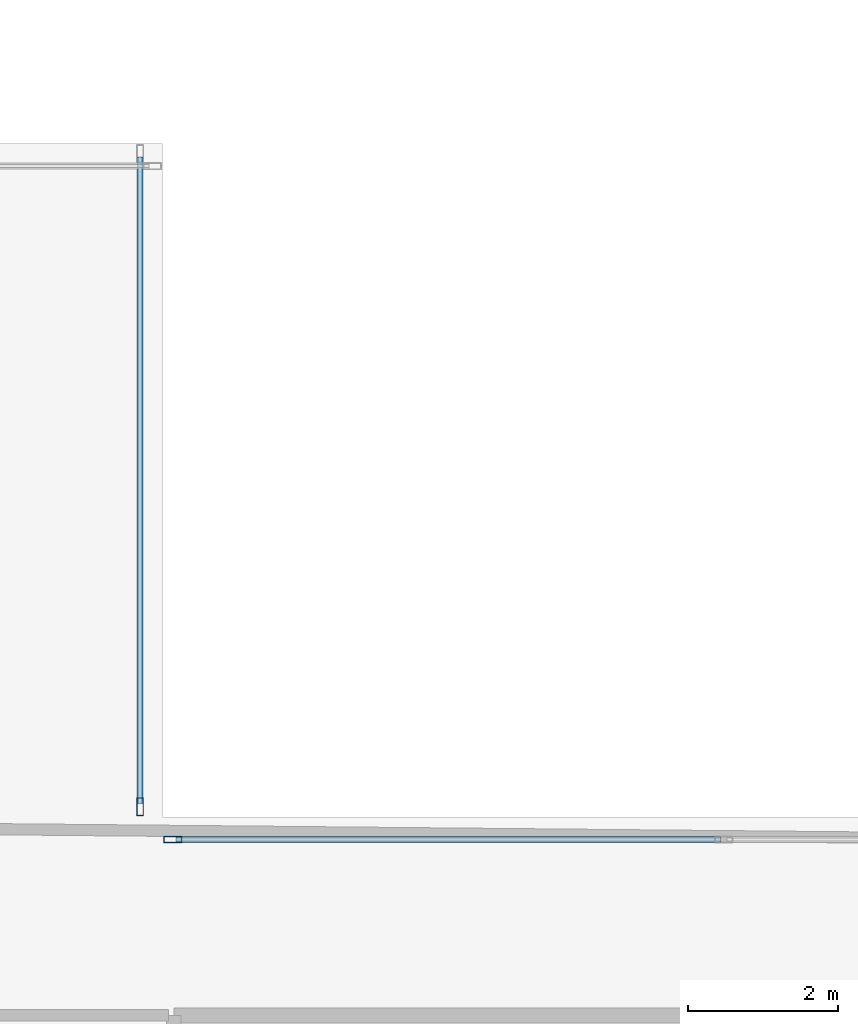
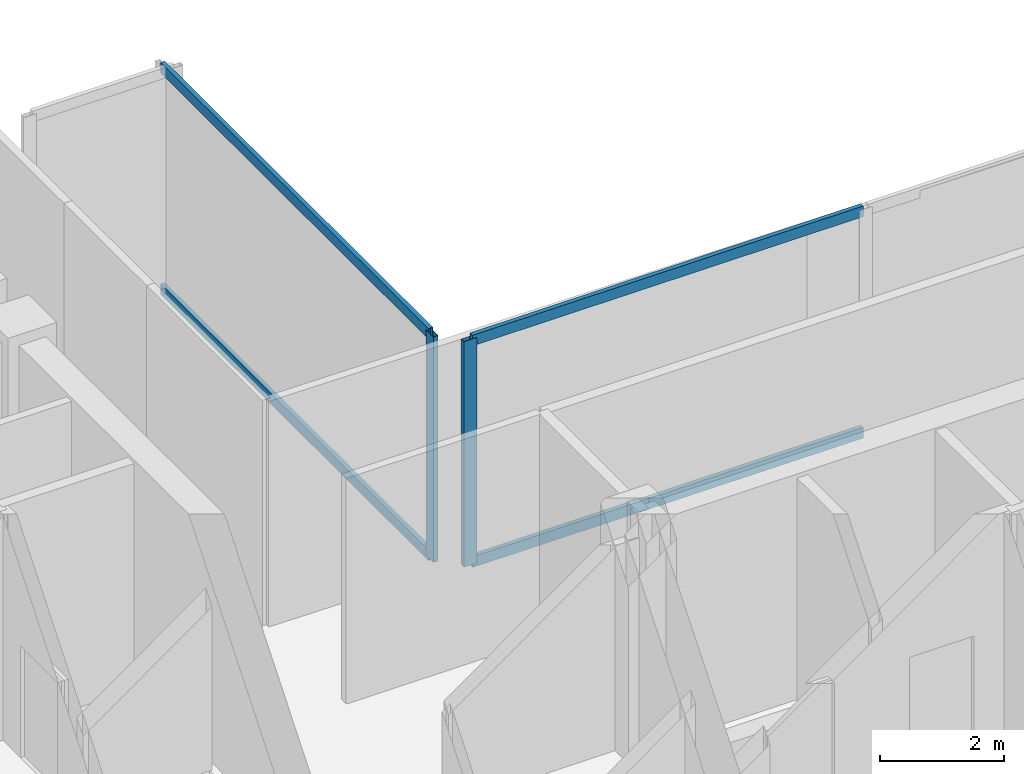
# One storey, part 7 of 19: 6 members, 2 elements without a shape of their own.
"""IFC4 building model written with IfcOpenShell, lengths in metres."""

from ifc_helpers import new_model, si_unit, direction, frame, origin, origin_2d, place, context, subcontext, project, spatial, hollow_rectangle, extrude, material, layer, layer_set, material_profile, profile_set, type_object, element, aggregate, save


model = new_model("IFC4")

# Units and contexts
model_context = context("Model", 3, precision=1e-05, world=origin(), true_north=direction((0.0, 1.0)))
body_context = subcontext(model_context, "Body", "Model", "MODEL_VIEW")
ifc_project = project(units=[si_unit("LENGTHUNIT", "METRE"), si_unit("AREAUNIT", "SQUARE_METRE"), si_unit("VOLUMEUNIT", "CUBIC_METRE"), si_unit("PLANEANGLEUNIT", "RADIAN"), si_unit("MASSUNIT", "GRAM", prefix="KILO"), si_unit("THERMODYNAMICTEMPERATUREUNIT", "KELVIN"), si_unit("POWERUNIT", "WATT")], contexts=[model_context])

# Site, building, storey
site_placement = place(None, origin())
site = spatial("IfcSite", under=ifc_project, at=site_placement, CompositionType="ELEMENT")
building_placement = place(site_placement, origin())
building = spatial("IfcBuilding", under=site, at=building_placement, Name="Svarakhadi Broadcast Tower", CompositionType="ELEMENT")
storey_placement = place(building_placement, frame((0.0, 0.0, 204.0)))
storey = spatial("IfcBuildingStorey", under=building, at=storey_placement, Name="L50", CompositionType="ELEMENT", Elevation=204.0)

# Curtain wall, member
ifc_material = material(Name="Anodised Bronze Aluminium AA 6063-T6", Category="aluminium")
ifc_layer = layer(ifc_material, 0.239990234375)
ifc_layer_set = layer_set([ifc_layer], Name="Anodised Bronze Aluminium AA 6063-T6")
curtain_wall_type = type_object("IfcCurtainWallType", Name="CW_Sys_06", PredefinedType="NOTDEFINED", material=ifc_layer_set)
curtain_wall_1_placement = place(storey_placement, origin())
curtain_wall_1 = element("IfcCurtainWall", 1, at=curtain_wall_1_placement, inside=storey, type_object=curtain_wall_type, Name="L50 Unitised Facade Curtain Wall 08", PredefinedType="NOTDEFINED")
ifc_material_profile_1 = material_profile(ifc_material, hollow_rectangle(XDim=0.090087890625, YDim=0.239990234375, WallThickness=0.006103515625, at=origin_2d()), Name="ALU MULLION 240x90x6")
ifc_profile_set_1 = profile_set([ifc_material_profile_1], Name="Anodised Bronze Aluminium AA 6063-T6")
member_type_1 = type_object("IfcMemberType", Name="CW_Sys_06_Mul", PredefinedType="MULLION", material=ifc_profile_set_1)
member_1_placement = place(storey_placement, frame((23.699951171875, 24.135009765625, 0.0), z_axis=(0.0, 0.0, 1.0), x_axis=(1.0, 0.0, 0.0)))
member_1 = element("IfcMember", 2, at=member_1_placement, type_object=member_type_1, Name="CW-06 mullion 2", PredefinedType="MULLION", context=body_context, shape_type="SweptSolid", body=[
    extrude(hollow_rectangle(XDim=0.090087890625, YDim=0.239990234375, WallThickness=0.006103515625, at=origin_2d()), origin(), (0.0, 0.0, 1.0), 4.43994140625),
])

curtain_wall_2_placement = place(storey_placement, origin())
curtain_wall_2 = element("IfcCurtainWall", 3, at=curtain_wall_2_placement, inside=storey, type_object=curtain_wall_type, Name="L50 Unitised Facade Curtain Wall 09", PredefinedType="NOTDEFINED")
member_2_placement = place(storey_placement, frame((24.135009765625, 23.699951171875, 0.0), z_axis=(0.0, 0.0, 1.0), x_axis=(0.0, 1.0, 0.0)))
member_2 = element("IfcMember", 4, at=member_2_placement, type_object=member_type_1, Name="CW-06 mullion 1", PredefinedType="MULLION", context=body_context, shape_type="SweptSolid", body=[
    extrude(hollow_rectangle(XDim=0.090087890625, YDim=0.239990234375, WallThickness=0.006103515625, at=origin_2d()), origin(), (0.0, 0.0, 1.0), 4.43994140625),
])

# Member
ifc_material_profile_2 = material_profile(ifc_material, hollow_rectangle(XDim=0.080078125, YDim=0.2099609375, WallThickness=0.0048828125, at=origin_2d()), Name="ALU TRANSOM 210x80x5")
ifc_profile_set_2 = profile_set([ifc_material_profile_2], Name="Anodised Bronze Aluminium AA 6063-T6")
member_type_2 = type_object("IfcMemberType", Name="CW_Sys_06_Trn", PredefinedType="USERDEFINED", material=ifc_profile_set_2)
member_3_placement = place(storey_placement, frame((23.699951171875, 32.820068359375, 0.0400390625), z_axis=(0.0, -1.0, 0.0), x_axis=(1.0, 0.0, 0.0)))
member_3 = element("IfcMember", 5, at=member_3_placement, type_object=member_type_2, Name="CW-06 transom 1.1", ObjectType="TRANSOM", PredefinedType="USERDEFINED", context=body_context, shape_type="SweptSolid", body=[
    extrude(hollow_rectangle(XDim=0.080078125, YDim=0.2099609375, WallThickness=0.0048828125, at=origin_2d()), origin(), (0.0, 0.0, 1.0), 8.64013671875),
])

member_4_placement = place(storey_placement, frame((23.699951171875, 32.820068359375, 4.39990234375), z_axis=(0.0, -1.0, 0.0), x_axis=(1.0, 0.0, 0.0)))
member_4 = element("IfcMember", 6, at=member_4_placement, type_object=member_type_2, Name="CW-06 transom 1.2", ObjectType="TRANSOM", PredefinedType="USERDEFINED", context=body_context, shape_type="SweptSolid", body=[
    extrude(hollow_rectangle(XDim=0.080078125, YDim=0.2099609375, WallThickness=0.0048828125, at=origin_2d()), origin(), (0.0, 0.0, 1.0), 8.64013671875),
])

aggregate(curtain_wall_1, [member_1, member_3, member_4])

member_5_placement = place(storey_placement, frame((24.179931640625, 23.699951171875, 0.0400390625), z_axis=(1.0, 0.0, 0.0), x_axis=(0.0, 1.0, 0.0)))
member_5 = element("IfcMember", 7, at=member_5_placement, type_object=member_type_2, Name="CW-06 transom 1.1", ObjectType="TRANSOM", PredefinedType="USERDEFINED", context=body_context, shape_type="SweptSolid", body=[
    extrude(hollow_rectangle(XDim=0.080078125, YDim=0.2099609375, WallThickness=0.0048828125, at=origin_2d()), origin(), (0.0, 0.0, 1.0), 7.275146484375),
])

member_6_placement = place(storey_placement, frame((24.179931640625, 23.699951171875, 4.39990234375), z_axis=(1.0, 0.0, 0.0), x_axis=(0.0, 1.0, 0.0)))
member_6 = element("IfcMember", 8, at=member_6_placement, type_object=member_type_2, Name="CW-06 transom 1.2", ObjectType="TRANSOM", PredefinedType="USERDEFINED", context=body_context, shape_type="SweptSolid", body=[
    extrude(hollow_rectangle(XDim=0.080078125, YDim=0.2099609375, WallThickness=0.0048828125, at=origin_2d()), origin(), (0.0, 0.0, 1.0), 7.275146484375),
])

aggregate(curtain_wall_2, [member_2, member_5, member_6])

save(model, "model.ifc")
